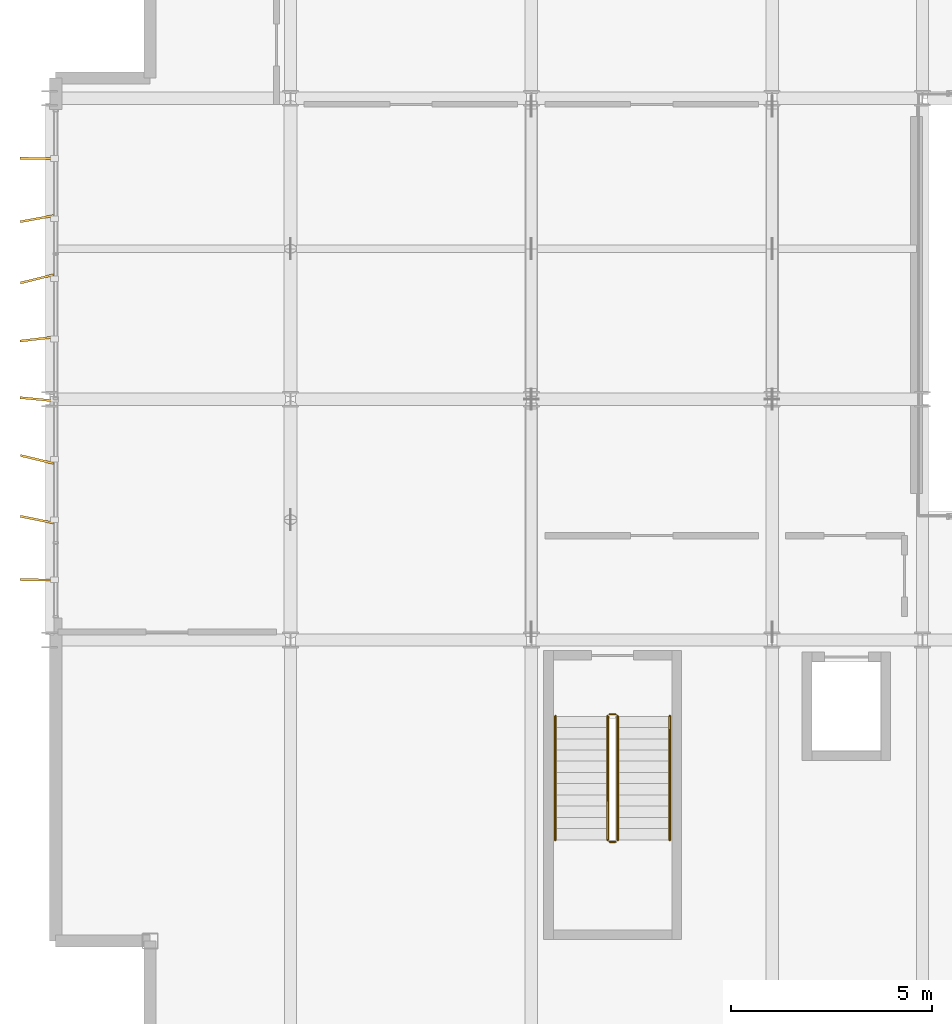
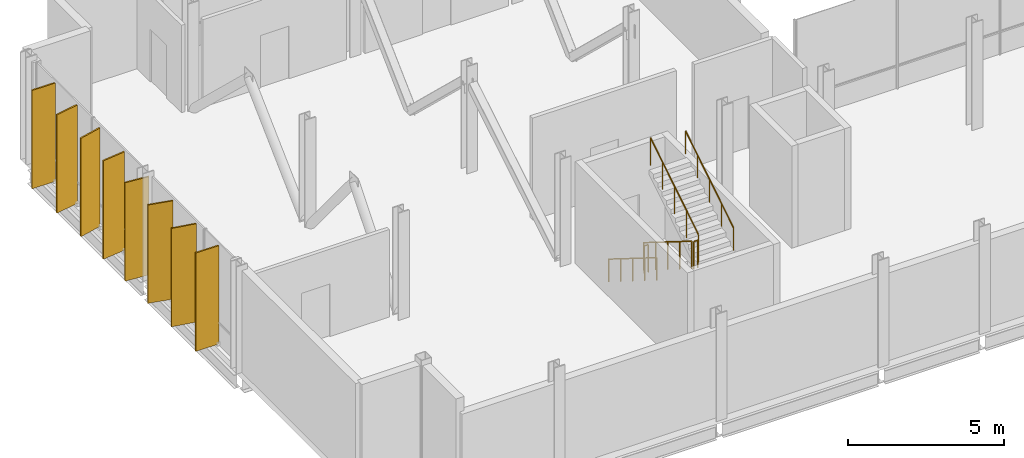
# One storey, part 31 of 33: 8 shading devices, 6 railings.
"""IFC4 building model written with IfcOpenShell, lengths in metres."""

from ifc_helpers import new_model, si_unit, direction, frame, origin, origin_2d, place, context, subcontext, project, spatial, rectangle, circle, extrude, material, layer, layer_set, type_object, element, save


model = new_model("IFC4")

# Units and contexts
model_context = context("Model", 3, precision=1e-05, world=origin(), true_north=direction((0.0, 1.0)))
body_context = subcontext(model_context, "Body", "Model", "MODEL_VIEW")
ifc_project = project(units=[si_unit("LENGTHUNIT", "METRE"), si_unit("AREAUNIT", "SQUARE_METRE"), si_unit("VOLUMEUNIT", "CUBIC_METRE"), si_unit("PLANEANGLEUNIT", "RADIAN"), si_unit("MASSUNIT", "GRAM", prefix="KILO")], contexts=[model_context])

# Site, building, storey
site_placement = place(None, origin())
site = spatial("IfcSite", under=ifc_project, at=site_placement, CompositionType="ELEMENT")
building_placement = place(site_placement, origin())
building = spatial("IfcBuilding", under=site, at=building_placement, Name="Brevholm Reach", CompositionType="ELEMENT")
storey_placement = place(building_placement, frame((0.0, 0.0, 179.0)))
storey = spatial("IfcBuildingStorey", under=building, at=storey_placement, Name="L54", CompositionType="ELEMENT", Elevation=179.0)

# Railings
ifc_material_1 = material(Name="Brushed Stainless Steel EN 1.4401 Continuous Handrail", Category="steel")
railing_type_1 = type_object("IfcRailingType", Name="RAL-HND-950", PredefinedType="HANDRAIL", material=ifc_material_1)
railing_1_placement = place(storey_placement, frame((12.60009765625, 8.10009765625, 0.175048828125)))
element("IfcRailing", 1, at=railing_1_placement, inside=storey, type_object=railing_type_1, Name="L54 ST-1 stair handrail 1", PredefinedType="HANDRAIL", context=body_context, shape_type="SweptSolid", body=[
    extrude(circle(Radius=0.02392578125, at=origin_2d()), frame((0.0, 0.0, 0.8857421875), z_axis=(0.0, -0.847998304005, 0.529998940003), x_axis=(1.0, 0.0, 0.0)), (0.0, 0.0, 1.0), 3.632080078125),
    extrude(circle(Radius=0.02099609375, at=origin_2d()), origin(), (0.0, 0.0, 1.0), 0.86181640625),
    extrude(circle(Radius=0.02099609375, at=origin_2d()), frame((0.0, -0.77001953125, 0.481201171875)), (0.0, 0.0, 1.0), 0.86181640625),
    extrude(circle(Radius=0.02099609375, at=origin_2d()), frame((0.0, -1.5400390625, 0.96240234375)), (0.0, 0.0, 1.0), 0.86181640625),
    extrude(circle(Radius=0.02099609375, at=origin_2d()), frame((0.0, -2.31005859375, 1.44384765625)), (0.0, 0.0, 1.0), 0.86181640625),
    extrude(circle(Radius=0.02099609375, at=origin_2d()), frame((0.0, -3.080078125, 1.925048828125)), (0.0, 0.0, 1.0), 0.86181640625),
])
railing_2_placement = place(storey_placement, frame((15.449951171875, 5.02001953125, 2.27490234375)))
element("IfcRailing", 2, at=railing_2_placement, inside=storey, type_object=railing_type_1, Name="L54 ST-1 stair handrail 2", PredefinedType="HANDRAIL", context=body_context, shape_type="SweptSolid", body=[
    extrude(circle(Radius=0.02392578125, at=origin_2d()), frame((0.0, 0.0, 0.8857421875), z_axis=(0.0, 0.847998304005, 0.529998940003), x_axis=(-1.0, 0.0, 0.0)), (0.0, 0.0, 1.0), 3.632080078125),
    extrude(circle(Radius=0.02099609375, at=origin_2d()), origin(), (0.0, 0.0, 1.0), 0.86181640625),
    extrude(circle(Radius=0.02099609375, at=origin_2d()), frame((0.0, 0.77001953125, 0.481201171875)), (0.0, 0.0, 1.0), 0.86181640625),
    extrude(circle(Radius=0.02099609375, at=origin_2d()), frame((0.0, 1.5400390625, 0.96240234375)), (0.0, 0.0, 1.0), 0.86181640625),
    extrude(circle(Radius=0.02099609375, at=origin_2d()), frame((0.0, 2.31005859375, 1.44384765625)), (0.0, 0.0, 1.0), 0.86181640625),
    extrude(circle(Radius=0.02099609375, at=origin_2d()), frame((0.0, 3.080078125, 1.925048828125)), (0.0, 0.0, 1.0), 0.86181640625),
])
ifc_material_2 = material(Name="Painted Tubular Galvanised Steel S275JR Stair Guard", Category="steel")
railing_type_2 = type_object("IfcRailingType", Name="RAL-STG-1120", PredefinedType="BALUSTRADE", material=ifc_material_2)
railing_3_placement = place(storey_placement, frame((13.89990234375, 8.10009765625, 0.175048828125)))
element("IfcRailing", 3, at=railing_3_placement, inside=storey, type_object=railing_type_2, Name="L54 ST-1 stair guard 1", PredefinedType="BALUSTRADE", context=body_context, shape_type="SweptSolid", body=[
    extrude(circle(Radius=0.02392578125, at=origin_2d()), frame((0.0, 0.0, 1.076171875), z_axis=(0.0, -0.847998304005, 0.529998940003), x_axis=(1.0, 0.0, 0.0)), (0.0, 0.0, 1.0), 3.632080078125),
    extrude(circle(Radius=0.02099609375, at=origin_2d()), origin(), (0.0, 0.0, 1.0), 1.052001953125),
    extrude(circle(Radius=0.02099609375, at=origin_2d()), frame((0.0, -0.77001953125, 0.481201171875)), (0.0, 0.0, 1.0), 1.052001953125),
    extrude(circle(Radius=0.02099609375, at=origin_2d()), frame((0.0, -1.5400390625, 0.96240234375)), (0.0, 0.0, 1.0), 1.052001953125),
    extrude(circle(Radius=0.02099609375, at=origin_2d()), frame((0.0, -2.31005859375, 1.44384765625)), (0.0, 0.0, 1.0), 1.052001953125),
    extrude(circle(Radius=0.02099609375, at=origin_2d()), frame((0.0, -3.080078125, 1.925048828125)), (0.0, 0.0, 1.0), 1.052001953125),
])
railing_4_placement = place(storey_placement, frame((13.949951171875, 4.969970703125, 2.10009765625)))
element("IfcRailing", 4, at=railing_4_placement, inside=storey, type_object=railing_type_2, Name="L54 ST-1 stair guard 2", PredefinedType="BALUSTRADE", context=body_context, shape_type="SweptSolid", body=[
    extrude(circle(Radius=0.02392578125, at=origin_2d()), frame((0.0, 0.0, 1.076171875), z_axis=(1.0, 0.0, 0.0), x_axis=(0.0, 1.0, 0.0)), (0.0, 0.0, 1.0), 0.150146484375),
    extrude(circle(Radius=0.02099609375, at=origin_2d()), origin(), (0.0, 0.0, 1.0), 1.052001953125),
    extrude(circle(Radius=0.02099609375, at=origin_2d()), frame((0.150146484375, 0.0, 0.0)), (0.0, 0.0, 1.0), 1.052001953125),
])
railing_5_placement = place(storey_placement, frame((14.14990234375, 5.02001953125, 2.27490234375)))
element("IfcRailing", 5, at=railing_5_placement, inside=storey, type_object=railing_type_2, Name="L54 ST-1 stair guard 3", PredefinedType="BALUSTRADE", context=body_context, shape_type="SweptSolid", body=[
    extrude(circle(Radius=0.02392578125, at=origin_2d()), frame((0.0, 0.0, 1.076171875), z_axis=(0.0, 0.847998304005, 0.529998940003), x_axis=(-1.0, 0.0, 0.0)), (0.0, 0.0, 1.0), 3.632080078125),
    extrude(circle(Radius=0.02099609375, at=origin_2d()), origin(), (0.0, 0.0, 1.0), 1.052001953125),
    extrude(circle(Radius=0.02099609375, at=origin_2d()), frame((0.0, 0.77001953125, 0.481201171875)), (0.0, 0.0, 1.0), 1.052001953125),
    extrude(circle(Radius=0.02099609375, at=origin_2d()), frame((0.0, 1.5400390625, 0.96240234375)), (0.0, 0.0, 1.0), 1.052001953125),
    extrude(circle(Radius=0.02099609375, at=origin_2d()), frame((0.0, 2.31005859375, 1.44384765625)), (0.0, 0.0, 1.0), 1.052001953125),
    extrude(circle(Radius=0.02099609375, at=origin_2d()), frame((0.0, 3.080078125, 1.925048828125)), (0.0, 0.0, 1.0), 1.052001953125),
])
railing_6_placement = place(storey_placement, frame((13.949951171875, 8.14990234375, 0.0)))
element("IfcRailing", 6, at=railing_6_placement, inside=storey, type_object=railing_type_2, Name="L54 ST-1 stair guard 4", PredefinedType="BALUSTRADE", context=body_context, shape_type="SweptSolid", body=[
    extrude(circle(Radius=0.02392578125, at=origin_2d()), frame((0.0, 0.0, 1.076171875), z_axis=(1.0, 0.0, 0.0), x_axis=(0.0, 1.0, 0.0)), (0.0, 0.0, 1.0), 0.150146484375),
    extrude(circle(Radius=0.02099609375, at=origin_2d()), origin(), (0.0, 0.0, 1.0), 1.052001953125),
    extrude(circle(Radius=0.02099609375, at=origin_2d()), frame((0.150146484375, 0.0, 0.0)), (0.0, 0.0, 1.0), 1.052001953125),
])

# Shading devices
ifc_material_3 = material(Name="Perforated Champagne-Bronze Anodised Aluminium", Category="aluminium")
ifc_layer = layer(ifc_material_3, 0.054931640625)
ifc_layer_set = layer_set([ifc_layer], Name="Perforated Champagne-Bronze Anodised Aluminium")
shading_device_type = type_object("IfcShadingDeviceType", Name="SHD-FIN-850", PredefinedType="USERDEFINED", material=ifc_layer_set)
for number, where, z_axis, x_axis, name in (
    (7, (-0.31494140625, 11.5, 0.070068359375), (0.0, 0.0, 1.0), (-0.999924084816, 0.012321712708, 0.0), "L54 Perforated Solar Screen Fin 1"),
    (8, (-0.31494140625, 13.0, 0.070068359375), (0.0, 0.0, 1.0), (-0.980367651162, 0.197178265928, 0.0), "L54 Perforated Solar Screen Fin 2"),
    (9, (-0.31494140625, 14.5, 0.070068359375), (0.0, 0.0, 1.0), (-0.972471687587, 0.233021065231, 0.0), "L54 Perforated Solar Screen Fin 3"),
    (10, (-0.31494140625, 16.0, 0.070068359375), (0.0, 0.0, 1.0), (-0.995510901389, 0.094646950378, 0.0), "L54 Perforated Solar Screen Fin 4"),
    (11, (-0.31494140625, 17.5, 0.070068359375), (0.0, 0.0, 1.0), (-0.993164539312, -0.116722739233, 0.0), "L54 Perforated Solar Screen Fin 5"),
    (12, (-0.31494140625, 19.0, 0.070068359375), (0.0, 0.0, 1.0), (-0.971180057148, -0.238347008786, 0.0), "L54 Perforated Solar Screen Fin 6"),
    (13, (-0.31494140625, 20.5, 0.070068359375), (0.0, 0.0, 1.0), (-0.983280342859, -0.182098235432, 0.0), "L54 Perforated Solar Screen Fin 7"),
    (14, (-0.31494140625, 22.0, 0.070068359375), (0.0, 0.0, 1.0), (-0.999924084816, 0.012321712708, 0.0), "L54 Perforated Solar Screen Fin 8"),
):
    element("IfcShadingDevice", number, at=place(storey_placement, frame(where, z_axis=z_axis, x_axis=x_axis)), inside=storey, type_object=shading_device_type, Name=name, ObjectType="SCREEN", PredefinedType="USERDEFINED", context=body_context, shape_type="SweptSolid", body=[
        extrude(rectangle(XDim=0.85009765625, YDim=0.054931640625, at=origin_2d()), origin(), (0.0, 0.0, 1.0), 3.85009765625),
    ])

save(model, "model.ifc")
